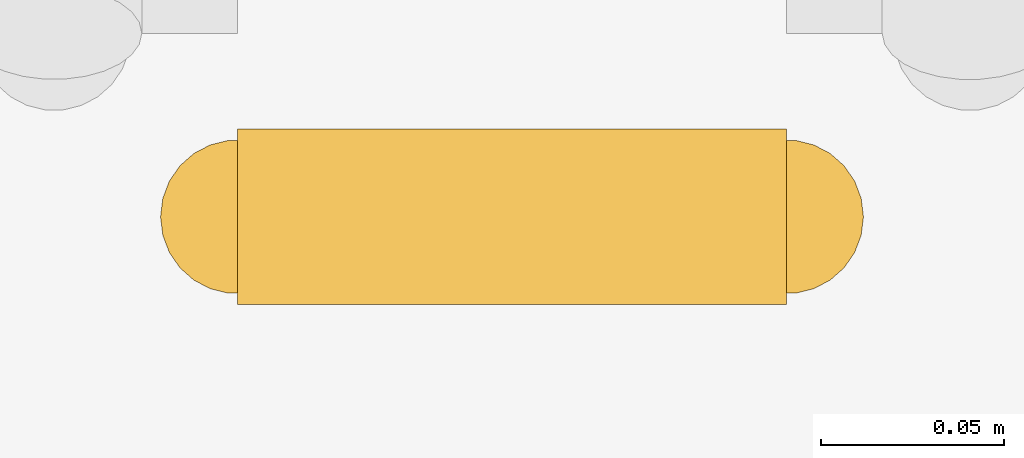
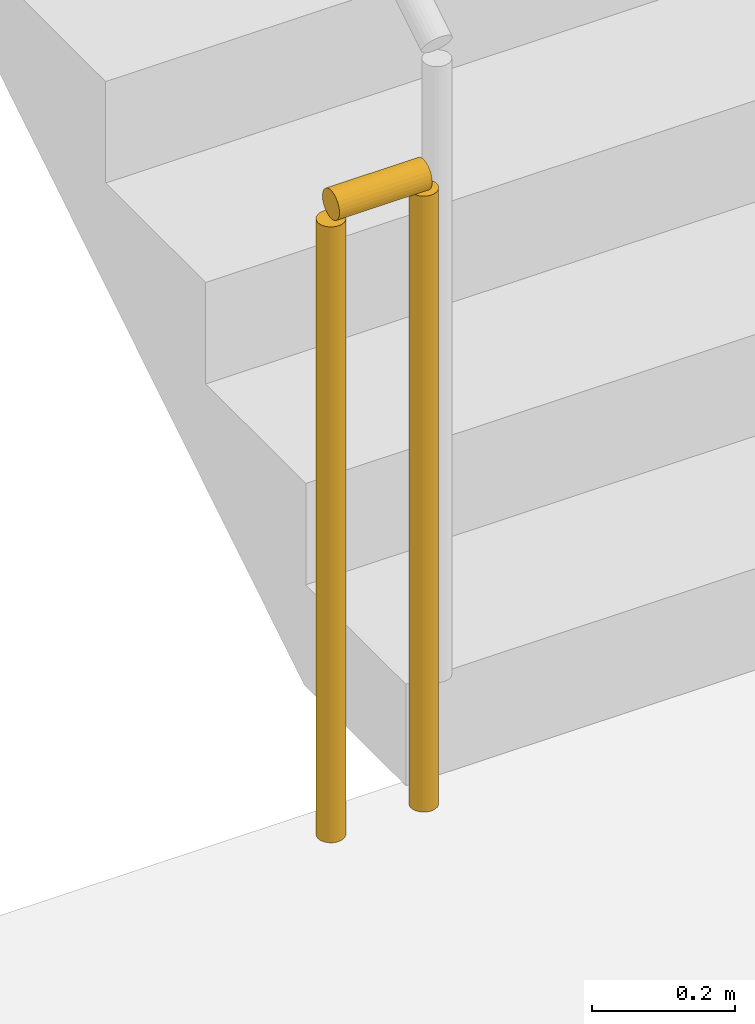
# One storey, part 47 of 49: 1 railing.
"""IFC4 building model written with IfcOpenShell, lengths in metres."""

from ifc_helpers import new_model, si_unit, direction, frame, origin, origin_2d, place, context, subcontext, project, spatial, circle, extrude, material, type_object, element, save


model = new_model("IFC4")

# Units and contexts
model_context = context("Model", 3, precision=1e-05, world=origin(), true_north=direction((0.0, 1.0)))
body_context = subcontext(model_context, "Body", "Model", "MODEL_VIEW")
ifc_project = project(units=[si_unit("LENGTHUNIT", "METRE"), si_unit("AREAUNIT", "SQUARE_METRE"), si_unit("VOLUMEUNIT", "CUBIC_METRE"), si_unit("PLANEANGLEUNIT", "RADIAN"), si_unit("MASSUNIT", "GRAM", prefix="KILO")], contexts=[model_context])

# Site, building, storey
site_placement = place(None, origin())
site = spatial("IfcSite", under=ifc_project, at=site_placement, CompositionType="ELEMENT")
building_placement = place(site_placement, origin())
building = spatial("IfcBuilding", under=site, at=building_placement, Name="Kolvaren Belvedere", CompositionType="ELEMENT")
storey_placement = place(building_placement, frame((0.0, 0.0, 10.0)))
storey = spatial("IfcBuildingStorey", under=building, at=storey_placement, Name="L03", CompositionType="ELEMENT", Elevation=10.0)

# Railing
ifc_material = material(Name="Painted tubular steel stair guard", Category="steel")
railing_type = type_object("IfcRailingType", Name="RL-STGUARD-1100", PredefinedType="GUARDRAIL", material=ifc_material)
railing_placement = place(storey_placement, frame((23.679931640625, 3.27001953125, 0.0)))
element("IfcRailing", 1, at=railing_placement, inside=storey, type_object=railing_type, Name="L03 ST-P2 stair guard 4", PredefinedType="GUARDRAIL", context=body_context, shape_type="SweptSolid", body=[
    extrude(circle(Radius=0.02392578125, at=origin_2d()), frame((0.0, 0.0, 1.076171875), z_axis=(-1.0, 0.0, 0.0), x_axis=(0.0, -1.0, 0.0)), (0.0, 0.0, 1.0), 0.14990234375),
    extrude(circle(Radius=0.02099609375, at=origin_2d()), origin(), (0.0, 0.0, 1.0), 1.052001953125),
    extrude(circle(Radius=0.02099609375, at=origin_2d()), frame((-0.14990234375, 0.0, 0.0)), (0.0, 0.0, 1.0), 1.052001953125),
])

save(model, "model.ifc")
